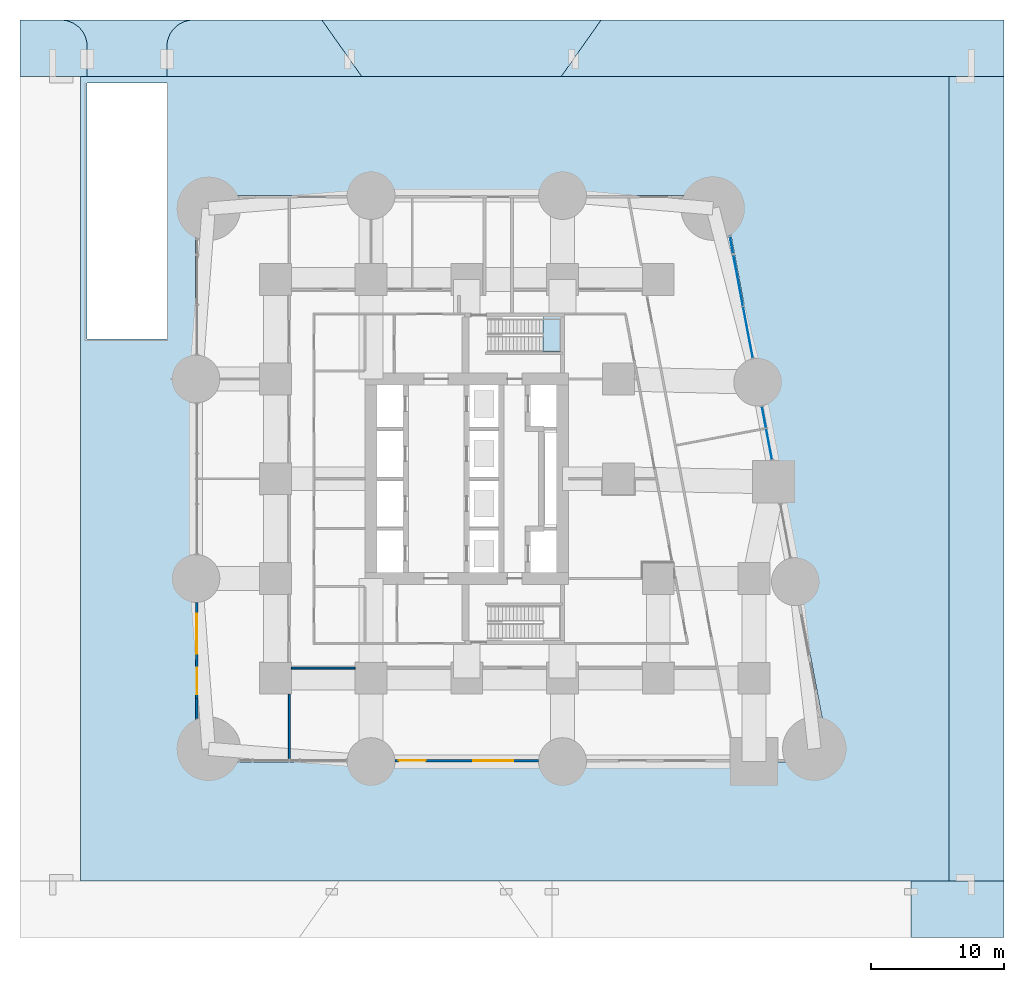
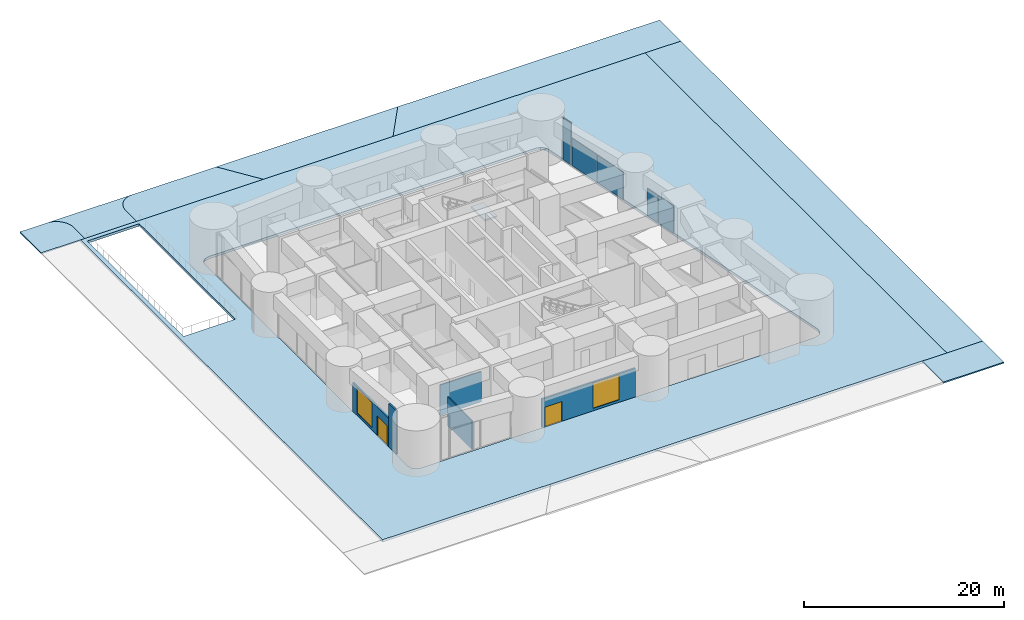
# One storey, part 8 of 16: 9 slabs, 5 plates, 5 walls, 2 doors, 2 windows, 4 openings, 4 elements without a shape of their own.
"""IFC4 building model written with IfcOpenShell, lengths in metres."""

from ifc_helpers import new_model, si_unit, direction, frame, frame_2d, origin, origin_2d, place, context, subcontext, project, spatial, polyline, rectangle, outline, extrude, material, layer, layer_set, type_object, element, fill, aggregate, save


model = new_model("IFC4")

# Units and contexts
model_context = context("Model", 3, precision=1e-05, world=origin(), true_north=direction((0.0, 1.0)))
body_context = subcontext(model_context, "Body", "Model", "MODEL_VIEW")
ifc_project = project(units=[si_unit("LENGTHUNIT", "METRE"), si_unit("AREAUNIT", "SQUARE_METRE"), si_unit("VOLUMEUNIT", "CUBIC_METRE"), si_unit("PLANEANGLEUNIT", "RADIAN"), si_unit("MASSUNIT", "GRAM", prefix="KILO")], contexts=[model_context])

# Site, building, storey
site_placement = place(None, origin())
site = spatial("IfcSite", under=ifc_project, at=site_placement, CompositionType="ELEMENT")
building_placement = place(site_placement, origin())
building = spatial("IfcBuilding", under=site, at=building_placement, Name="Sheger Commons Tower", CompositionType="ELEMENT")
storey_placement = place(building_placement, origin())
storey = spatial("IfcBuildingStorey", under=building, at=storey_placement, Name="L00", CompositionType="ELEMENT", Elevation=0.0)

# Curtain wall, plates
ifc_material_1 = material(Name="Black aluminium curtain wall, dark tinted glazing", Category="aluminium")
curtain_wall_type = type_object("IfcCurtainWallType", Name="CURTAIN WALL CW1 SHOPFRONT", PredefinedType="USERDEFINED", material=ifc_material_1)
curtain_wall_1_placement = place(storey_placement, origin())
curtain_wall_1 = element("IfcCurtainWall", 1, at=curtain_wall_1_placement, inside=storey, type_object=curtain_wall_type, Name="Curtain Wall Cw1 Shopfront E1 L00", ObjectType="STICK CURTAIN WALL", PredefinedType="USERDEFINED")
ifc_material_2 = material(Name="Dark tinted double glazing, laminated safety glass", Category="glass")
ifc_layer_1 = layer(ifc_material_2, 0.0380859375)
ifc_layer_set_1 = layer_set([ifc_layer_1], Name="GLAZED PANEL 38")
plate_type = type_object("IfcPlateType", Name="GLAZED PANEL 38", PredefinedType="CURTAIN_PANEL", material=ifc_layer_set_1)
plate_1_placement = place(storey_placement, frame((44.3349609375, 25.104248046875, 0.06494140625), z_axis=(0.0, 0.0, 1.0), x_axis=(-0.185647893416, 0.982616333912, 0.0)))
plate_1 = element("IfcPlate", 2, at=plate_1_placement, type_object=plate_type, Name="CW1 panel 1.1", PredefinedType="CURTAIN_PANEL", context=body_context, shape_type="SweptSolid", body=[
    extrude(rectangle(XDim=2.347412109375, YDim=0.0380859375, at=origin_2d()), origin(), (0.0, 0.0, 1.0), 3.3701171875),
])
plate_2_placement = place(storey_placement, frame((43.95361328125, 27.123291015625, 0.06494140625), z_axis=(0.0, 0.0, 1.0), x_axis=(-0.185647893416, 0.982616333912, 0.0)))
plate_2 = element("IfcPlate", 3, at=plate_2_placement, type_object=plate_type, Name="CW1 panel 2.1", PredefinedType="CURTAIN_PANEL", context=body_context, shape_type="SweptSolid", body=[
    extrude(rectangle(XDim=1.632080078125, YDim=0.0380859375, at=origin_2d()), origin(), (0.0, 0.0, 1.0), 3.3701171875),
])
aggregate(curtain_wall_1, [plate_1, plate_2])

curtain_wall_2_placement = place(storey_placement, origin())
curtain_wall_2 = element("IfcCurtainWall", 4, at=curtain_wall_2_placement, inside=storey, type_object=curtain_wall_type, Name="Curtain Wall Cw1 Shopfront E1 L00", ObjectType="STICK CURTAIN WALL", PredefinedType="USERDEFINED")
plate_3_placement = place(storey_placement, frame((42.747802734375, 33.5087890625, 0.06494140625), z_axis=(0.0, 0.0, 1.0), x_axis=(-0.185669818561, 0.982612191292, 0.0)))
plate_3 = element("IfcPlate", 5, at=plate_3_placement, type_object=plate_type, Name="CW1 panel 1.1", PredefinedType="CURTAIN_PANEL", context=body_context, shape_type="SweptSolid", body=[
    extrude(rectangle(XDim=3.901611328125, YDim=0.0380859375, at=origin_2d()), origin(), (0.0, 0.0, 1.0), 3.3701171875),
])
plate_4_placement = place(storey_placement, frame((42.01123046875, 37.40625, 0.06494140625), z_axis=(0.0, 0.0, 1.0), x_axis=(-0.185669818561, 0.982612191292, 0.0)))
plate_4 = element("IfcPlate", 6, at=plate_4_placement, type_object=plate_type, Name="CW1 panel 2.1", PredefinedType="CURTAIN_PANEL", context=body_context, shape_type="SweptSolid", body=[
    extrude(rectangle(XDim=3.901611328125, YDim=0.0380859375, at=origin_2d()), origin(), (0.0, 0.0, 1.0), 3.3701171875),
])
aggregate(curtain_wall_2, [plate_3, plate_4])

# Curtain wall, plate
curtain_wall_3_placement = place(storey_placement, origin())
curtain_wall_3 = element("IfcCurtainWall", 7, at=curtain_wall_3_placement, inside=storey, type_object=curtain_wall_type, Name="Curtain Wall Cw1 Shopfront E1 L00", ObjectType="STICK CURTAIN WALL", PredefinedType="USERDEFINED")
plate_5_placement = place(storey_placement, frame((41.508544921875, 40.068115234375, 0.06494140625), z_axis=(0.0, 0.0, 1.0), x_axis=(-0.185421004098, 0.982659173488, 0.0)))
plate_5 = element("IfcPlate", 8, at=plate_5_placement, type_object=plate_type, Name="CW1 panel 1.1", PredefinedType="CURTAIN_PANEL", context=body_context, shape_type="SweptSolid", body=[
    extrude(rectangle(XDim=1.256103515625, YDim=0.0380859375, at=origin_2d()), origin(), (0.0, 0.0, 1.0), 5.169921875),
])
aggregate(curtain_wall_3, [plate_5])

# Slabs
ifc_material_3 = material(Name="Reinforced concrete C32/40, brushed finish", Category="concrete")
ifc_layer_2 = layer(ifc_material_3, 0.22509765625)
ifc_layer_set_2 = layer_set([ifc_layer_2], Name="HARDSTANDING 225")
slab_type_1 = type_object("IfcSlabType", Name="HARDSTANDING 225", PredefinedType="USERDEFINED", material=ifc_layer_set_2)
slab_1_placement = place(storey_placement, frame((0.0, 0.0, -0.22509765625)))
element("IfcSlab", 9, at=slab_1_placement, inside=storey, type_object=slab_type_1, Name="Refuse and service bay", ObjectType="PAVING", PredefinedType="USERDEFINED", context=body_context, shape_type="SweptSolid", body=[
    extrude(outline(polyline([(13.699951171875, 52.75), (28.699951171875, 52.75), (31.699951171875, 57.0), (10.699951171875, 57.0), (13.699951171875, 52.75)])), origin(), (0.0, 0.0, 1.0), 0.22509765625),
])
slab_2_placement = place(storey_placement, frame((0.0, 0.0, -0.22509765625)))
element("IfcSlab", 10, at=slab_2_placement, inside=storey, type_object=slab_type_1, Name="Car park ramp crossover", ObjectType="PAVING", PredefinedType="USERDEFINED", context=body_context, shape_type="SweptSolid", body=[
    extrude(outline(polyline([(-6.949951171875, 52.75), (-0.949951171875, 52.75), (-0.949951171875, 55.0), (-0.947998046875, 55.097900390625), (-0.93994140625, 55.196044921875), (-0.927978515625, 55.29296875), (-0.912109375, 55.389892578125), (-0.889892578125, 55.486083984375), (-0.864013671875, 55.5810546875), (-0.8330078125, 55.674072265625), (-0.798095703125, 55.764892578125), (-0.758056640625, 55.85498046875), (-0.714111328125, 55.943115234375), (-0.6650390625, 56.028076171875), (-0.613037109375, 56.111083984375), (-0.555908203125, 56.19091796875), (-0.49609375, 56.26904296875), (-0.431884765625, 56.343017578125), (-0.364013671875, 56.4140625), (-0.29296875, 56.48193359375), (-0.218994140625, 56.5458984375), (-0.199951171875, 56.56005859375), (-0.14111328125, 56.60595703125), (-0.09912109375, 56.635986328125), (-0.06103515625, 56.6630859375), (-0.01708984375, 56.69091796875), (0.02197265625, 56.715087890625), (0.10009765625, 56.760009765625), (0.10693359375, 56.763916015625), (0.195068359375, 56.80810546875), (0.284912109375, 56.847900390625), (0.3759765625, 56.883056640625), (0.468994140625, 56.9140625), (0.56396484375, 56.93994140625), (0.659912109375, 56.9619140625), (0.757080078125, 56.97802734375), (0.85400390625, 56.989990234375), (0.93994140625, 56.9970703125), (0.93994140625, 57.0), (-0.949951171875, 57.0), (-6.949951171875, 57.0), (-8.840087890625, 57.0), (-8.840087890625, 56.9970703125), (-8.75390625, 56.989990234375), (-8.656982421875, 56.97802734375), (-8.56005859375, 56.9619140625), (-8.464111328125, 56.93994140625), (-8.368896484375, 56.9140625), (-8.27587890625, 56.883056640625), (-8.18505859375, 56.847900390625), (-8.094970703125, 56.80810546875), (-8.010986328125, 56.76611328125), (-8.007080078125, 56.763916015625), (-7.922119140625, 56.715087890625), (-7.839111328125, 56.6630859375), (-7.759033203125, 56.60595703125), (-7.680908203125, 56.5458984375), (-7.60693359375, 56.48193359375), (-7.535888671875, 56.4140625), (-7.468017578125, 56.343017578125), (-7.404052734375, 56.26904296875), (-7.343994140625, 56.19091796875), (-7.287109375, 56.111083984375), (-7.235107421875, 56.028076171875), (-7.18603515625, 55.943115234375), (-7.14208984375, 55.85498046875), (-7.10205078125, 55.764892578125), (-7.06689453125, 55.674072265625), (-7.035888671875, 55.5810546875), (-7.010009765625, 55.486083984375), (-6.988037109375, 55.389892578125), (-6.971923828125, 55.29296875), (-6.9599609375, 55.196044921875), (-6.951904296875, 55.097900390625), (-6.949951171875, 55.0), (-6.949951171875, 52.75)])), origin(), (0.0, 0.0, 1.0), 0.22509765625),
])
ifc_material_4 = material(Name="Granite setts on a mortar bed", Category="masonry")
ifc_layer_3 = layer(ifc_material_4, 0.14990234375)
ifc_layer_set_3 = layer_set([ifc_layer_3], Name="PAVING 150")
slab_type_2 = type_object("IfcSlabType", Name="PAVING 150", PredefinedType="USERDEFINED", material=ifc_layer_set_3)
slab_3_placement = place(storey_placement, frame((0.0, 0.0, -0.14990234375)))
element("IfcSlab", 11, at=slab_3_placement, inside=storey, type_object=slab_type_2, Name="South footway 3", ObjectType="PAVING", PredefinedType="USERDEFINED", context=body_context, shape_type="SweptSolid", body=[
    extrude(outline(polyline([(55.0, -12.0), (62.0, -12.0), (62.0, -7.75), (57.85009765625, -7.75), (55.0, -7.75), (55.0, -12.0)])), origin(), (0.0, 0.0, 1.0), 0.14990234375),
])
slab_4_placement = place(storey_placement, frame((0.0, 0.0, -0.14990234375)))
element("IfcSlab", 12, at=slab_4_placement, inside=storey, type_object=slab_type_2, Name="North footway 1", ObjectType="PAVING", PredefinedType="USERDEFINED", context=body_context, shape_type="SweptSolid", body=[
    extrude(outline(polyline([(-12.0, 52.75), (-7.449951171875, 52.75), (-6.949951171875, 52.75), (-6.949951171875, 55.0), (-6.951904296875, 55.097900390625), (-6.9599609375, 55.196044921875), (-6.971923828125, 55.29296875), (-6.988037109375, 55.389892578125), (-7.010009765625, 55.486083984375), (-7.035888671875, 55.5810546875), (-7.06689453125, 55.674072265625), (-7.10205078125, 55.764892578125), (-7.14208984375, 55.85498046875), (-7.18603515625, 55.943115234375), (-7.235107421875, 56.028076171875), (-7.287109375, 56.111083984375), (-7.343994140625, 56.19091796875), (-7.404052734375, 56.26904296875), (-7.468017578125, 56.343017578125), (-7.535888671875, 56.4140625), (-7.60693359375, 56.48193359375), (-7.680908203125, 56.5458984375), (-7.759033203125, 56.60595703125), (-7.839111328125, 56.6630859375), (-7.922119140625, 56.715087890625), (-8.007080078125, 56.763916015625), (-8.010986328125, 56.76611328125), (-8.051025390625, 56.785888671875), (-8.094970703125, 56.80810546875), (-8.18505859375, 56.847900390625), (-8.27587890625, 56.883056640625), (-8.368896484375, 56.9140625), (-8.464111328125, 56.93994140625), (-8.56005859375, 56.9619140625), (-8.656982421875, 56.97802734375), (-8.75390625, 56.989990234375), (-8.85205078125, 56.998046875), (-8.949951171875, 57.0), (-12.0, 57.0), (-12.0, 52.75)])), origin(), (0.0, 0.0, 1.0), 0.14990234375),
])
slab_5_placement = place(storey_placement, frame((0.0, 0.0, -0.14990234375)))
element("IfcSlab", 13, at=slab_5_placement, inside=storey, type_object=slab_type_2, Name="North footway 2", ObjectType="PAVING", PredefinedType="USERDEFINED", context=body_context, shape_type="SweptSolid", body=[
    extrude(outline(polyline([(-0.949951171875, 52.75), (13.699951171875, 52.75), (10.699951171875, 57.0), (1.050048828125, 57.0), (0.951904296875, 56.998046875), (0.85400390625, 56.989990234375), (0.757080078125, 56.97802734375), (0.739990234375, 56.97607421875), (0.659912109375, 56.9619140625), (0.60693359375, 56.949951171875), (0.56396484375, 56.93994140625), (0.468994140625, 56.9140625), (0.3759765625, 56.883056640625), (0.340087890625, 56.868896484375), (0.284912109375, 56.847900390625), (0.217041015625, 56.818115234375), (0.195068359375, 56.80810546875), (0.14892578125, 56.784912109375), (0.10693359375, 56.763916015625), (0.10009765625, 56.760009765625), (0.0390625, 56.72509765625), (0.0380859375, 56.72509765625), (0.02197265625, 56.715087890625), (0.012939453125, 56.7099609375), (0.007080078125, 56.7060546875), (-0.01708984375, 56.69091796875), (-0.01806640625, 56.68994140625), (-0.06103515625, 56.6630859375), (-0.0830078125, 56.64697265625), (-0.14111328125, 56.60595703125), (-0.16796875, 56.5849609375), (-0.199951171875, 56.56005859375), (-0.201904296875, 56.55908203125), (-0.218994140625, 56.5458984375), (-0.29296875, 56.48193359375), (-0.33203125, 56.445068359375), (-0.364013671875, 56.4140625), (-0.431884765625, 56.343017578125), (-0.49609375, 56.26904296875), (-0.555908203125, 56.19091796875), (-0.613037109375, 56.111083984375), (-0.6650390625, 56.028076171875), (-0.714111328125, 55.943115234375), (-0.758056640625, 55.85498046875), (-0.781005859375, 55.803955078125), (-0.798095703125, 55.764892578125), (-0.8330078125, 55.674072265625), (-0.864013671875, 55.5810546875), (-0.889892578125, 55.486083984375), (-0.912109375, 55.389892578125), (-0.927978515625, 55.29296875), (-0.93994140625, 55.196044921875), (-0.947998046875, 55.097900390625), (-0.949951171875, 55.0), (-0.949951171875, 52.75)])), origin(), (0.0, 0.0, 1.0), 0.14990234375),
])
slab_6_placement = place(storey_placement, frame((0.0, 0.0, -0.14990234375)))
element("IfcSlab", 14, at=slab_6_placement, inside=storey, type_object=slab_type_2, Name="North footway 3", ObjectType="PAVING", PredefinedType="USERDEFINED", context=body_context, shape_type="SweptSolid", body=[
    extrude(outline(polyline([(28.699951171875, 52.75), (57.85009765625, 52.75), (62.0, 52.75), (62.0, 57.0), (31.699951171875, 57.0), (28.699951171875, 52.75)])), origin(), (0.0, 0.0, 1.0), 0.14990234375),
])
slab_7_placement = place(storey_placement, frame((0.0, 0.0, -0.14990234375)))
element("IfcSlab", 15, at=slab_7_placement, inside=storey, type_object=slab_type_2, Name="East concourse approach", ObjectType="PAVING", PredefinedType="USERDEFINED", context=body_context, shape_type="SweptSolid", body=[
    extrude(outline(polyline([(57.85009765625, -7.75), (62.0, -7.75), (62.0, 52.75), (57.85009765625, 52.75), (57.85009765625, -7.75)])), origin(), (0.0, 0.0, 1.0), 0.14990234375),
])
ifc_material_5 = material(Name="Concrete C35/45", Category="concrete")
ifc_layer_4 = layer(ifc_material_5, 0.300048828125)
ifc_layer_set_4 = layer_set([ifc_layer_4], Name="SLAB ROOF 300")
slab_type_3 = type_object("IfcSlabType", Name="SLAB ROOF 300", PredefinedType="ROOF", material=ifc_layer_set_4)
slab_8_placement = place(storey_placement, frame((0.0, 0.0, -0.300048828125)))
element("IfcSlab", 16, at=slab_8_placement, inside=storey, type_object=slab_type_3, Name="L00 plaza deck over the car park", PredefinedType="ROOF", context=body_context, shape_type="SweptSolid", body=[
    extrude(outline(polyline([(-7.449951171875, -7.75), (57.85009765625, -7.75), (57.85009765625, 52.75), (-7.449951171875, 52.75), (-7.449951171875, -7.75)]), holes=[polyline([(2.199951171875, 1.198974609375), (47.7451171875, 1.198974609375), (48.298095703125, 1.365966796875), (48.299072265625, 1.365966796875), (48.66796875, 1.81005859375), (48.66796875, 1.81103515625), (48.72900390625, 2.385986328125), (41.06005859375, 42.986083984375), (40.8740234375, 43.404052734375), (40.8740234375, 43.405029296875), (40.52197265625, 43.696044921875), (40.52099609375, 43.696044921875), (40.075927734375, 43.801025390625), (2.199951171875, 43.801025390625), (1.699951171875, 43.6669921875), (1.698974609375, 43.6669921875), (1.3330078125, 43.301025390625), (1.3330078125, 43.300048828125), (1.198974609375, 42.800048828125), (1.198974609375, 2.199951171875), (1.3330078125, 1.699951171875), (1.3330078125, 1.698974609375), (1.698974609375, 1.3330078125), (1.699951171875, 1.3330078125), (2.199951171875, 1.198974609375)]), polyline([(-6.949951171875, 33.0), (-0.949951171875, 33.0), (-0.949951171875, 52.25), (-6.949951171875, 52.25), (-6.949951171875, 33.0)])]), origin(), (0.0, 0.0, 1.0), 0.300048828125),
])

# Stair, slab
ifc_material_6 = material(Name="Concrete C35/45", Category="concrete")
stair_type = type_object("IfcStairType", Name="HALF-TURN STAIR 1200 RISE 5600", PredefinedType="HALF_TURN_STAIR", material=ifc_material_6)
stair_placement = place(storey_placement, origin())
stair = element("IfcStair", 17, at=stair_placement, inside=storey, type_object=stair_type, Name="Stair S2 L00", PredefinedType="HALF_TURN_STAIR")
ifc_material_7 = material(Name="Concrete C35/45", Category="concrete")
ifc_layer_5 = layer(ifc_material_7, 0.199951171875)
ifc_layer_set_5 = layer_set([ifc_layer_5], Name="STAIR LANDING 200")
slab_type_4 = type_object("IfcSlabType", Name="STAIR LANDING 200", PredefinedType="LANDING", material=ifc_layer_set_5)
slab_9_placement = place(storey_placement, frame((0.0, 0.0, 2.60009765625)))
slab_9 = element("IfcSlab", 18, at=slab_9_placement, type_object=slab_type_4, Name="S2 landing 1", PredefinedType="LANDING", context=body_context, shape_type="SweptSolid", body=[
    extrude(outline(polyline([(27.35009765625, 32.050048828125), (28.800048828125, 32.050048828125), (28.800048828125, 34.800048828125), (27.35009765625, 34.800048828125), (27.35009765625, 32.050048828125)])), origin(), (0.0, 0.0, 1.0), 0.199951171875),
])
aggregate(stair, [slab_9])

# Walls
ifc_material_8 = material(Name="Hollow concrete block masonry, skimmed both sides", Category="masonry")
ifc_layer_6 = layer(ifc_material_8, 0.14990234375)
ifc_layer_set_6 = layer_set([ifc_layer_6], Name="CORRIDOR WALL 150")
wall_type_1 = type_object("IfcWallType", Name="CORRIDOR WALL 150", PredefinedType="SOLIDWALL", material=ifc_layer_set_6)
wall_1_placement = place(storey_placement, frame((8.25, 1.425048828125, 0.0), z_axis=(0.0, 0.0, 1.0), x_axis=(0.0, 1.0, 0.0)))
element("IfcWall", 19, at=wall_1_placement, inside=storey, type_object=wall_type_1, Name="Corridor wall L00", PredefinedType="SOLIDWALL", context=body_context, shape_type="SweptSolid", body=[
    extrude(rectangle(XDim=4.8740234375, YDim=0.14990234375, at=frame_2d((2.43701171875, 0.0))), origin(), (0.0, 0.0, 1.0), 3.5),
])
wall_2_placement = place(storey_placement, frame((13.198974609375, 8.25, 0.0), z_axis=(0.0, 0.0, 1.0), x_axis=(-1.0, 0.0, 0.0)))
element("IfcWall", 20, at=wall_2_placement, inside=storey, type_object=wall_type_1, Name="Corridor wall L00", PredefinedType="SOLIDWALL", context=body_context, shape_type="SweptSolid", body=[
    extrude(rectangle(XDim=4.798095703125, YDim=0.14990234375, at=frame_2d((2.39892578125, 0.0))), origin(), (0.0, 0.0, 1.0), 3.699951171875),
])

# Wall, openings, door, window
ifc_material_9 = material(Name="Rendered concrete block masonry, dark grey", Category="masonry")
ifc_layer_7 = layer(ifc_material_9, 0.199951171875)
ifc_layer_set_7 = layer_set([ifc_layer_7], Name="FACADE WALL 200")
wall_type_2 = type_object("IfcWallType", Name="FACADE WALL 200", PredefinedType="SOLIDWALL", material=ifc_layer_set_7)
wall_3_placement = place(storey_placement, frame((16.200927734375, 1.300048828125, 0.0), z_axis=(0.0, 0.0, 1.0), x_axis=(1.0, 0.0, 0.0)))
wall_3 = element("IfcWall", 21, at=wall_3_placement, inside=storey, type_object=wall_type_2, Name="Facade wall L00", PredefinedType="SOLIDWALL", context=body_context, shape_type="SweptSolid", body=[
    extrude(rectangle(XDim=10.798095703125, YDim=0.199951171875, at=frame_2d((5.39892578125, 0.0))), origin(), (0.0, 0.0, 1.0), 3.5),
])
opening_1_placement = place(wall_3_placement, frame((0.300048828125, 0.0, 0.0)))
opening_1 = element("IfcOpeningElement", 22, at=opening_1_placement, cuts=wall_3, Name="Opening DE1", PredefinedType="OPENING", context=body_context, shape_type="SweptSolid", body=[
    extrude(rectangle(XDim=2.0, YDim=2.39990234375, at=frame_2d((1.0, 1.199951171875))), frame((0.0, 0.10986328125, 0.0), z_axis=(0.0, -1.0, 0.0), x_axis=(1.0, 0.0, 0.0)), (0.0, 0.0, 1.0), 0.219970703125),
])
opening_2_placement = place(wall_3_placement, frame((5.89892578125, 0.0, 0.300048828125)))
opening_2 = element("IfcOpeningElement", 23, at=opening_2_placement, cuts=wall_3, Name="Opening W3", PredefinedType="OPENING", context=body_context, shape_type="SweptSolid", body=[
    extrude(rectangle(XDim=3.0, YDim=3.10009765625, at=frame_2d((1.5, 1.550048828125))), frame((0.0, 0.10986328125, 0.0), z_axis=(0.0, -1.0, 0.0), x_axis=(1.0, 0.0, 0.0)), (0.0, 0.0, 1.0), 0.219970703125),
])
ifc_material_10 = material(Name="Black aluminium frame, dark tinted glazing", Category="aluminium")
door_type = type_object("IfcDoorType", Name="ENTRANCE DOUBLE DOOR 2000x2400", OperationType="DOUBLE_DOOR_SINGLE_SWING", PredefinedType="DOOR", material=ifc_material_10)
door_1_placement = place(opening_1_placement, origin())
door_1 = element("IfcDoor", 24, at=door_1_placement, inside=storey, type_object=door_type, Name="Entrance door", OperationType="DOUBLE_DOOR_SINGLE_SWING", OverallHeight=2.39990234375, OverallWidth=2.0, PredefinedType="DOOR", context=body_context, shape_type="SweptSolid", body=[
    extrude(rectangle(XDim=2.0, YDim=2.39990234375, at=frame_2d((1.0, 1.199951171875))), frame((0.0, 0.02490234375, 0.0), z_axis=(0.0, -1.0, 0.0), x_axis=(1.0, 0.0, 0.0)), (0.0, 0.0, 1.0), 0.050048828125),
])
fill(opening_1, door_1)
ifc_material_11 = material(Name="Black aluminium frame, dark tinted double glazing", Category="aluminium")
window_type = type_object("IfcWindowType", Name="SHOPFRONT GLAZING W3 3000x3100", PartitioningType="SINGLE_PANEL", PredefinedType="WINDOW", material=ifc_material_11)
window_1_placement = place(opening_2_placement, origin())
window_1 = element("IfcWindow", 25, at=window_1_placement, inside=storey, type_object=window_type, Name="Shopfront Glazing W3 3000X3100", OverallHeight=3.10009765625, OverallWidth=3.0, PartitioningType="SINGLE_PANEL", PredefinedType="WINDOW", context=body_context, shape_type="SweptSolid", body=[
    extrude(rectangle(XDim=3.0, YDim=3.10009765625, at=frame_2d((1.5, 1.550048828125))), frame((0.0, 0.030029296875, 0.0), z_axis=(0.0, -1.0, 0.0), x_axis=(1.0, 0.0, 0.0)), (0.0, 0.0, 1.0), 0.06005859375),
])
fill(opening_2, window_1)

wall_4_placement = place(storey_placement, frame((1.300048828125, 13.198974609375, 0.0), z_axis=(0.0, 0.0, 1.0), x_axis=(0.0, -1.0, 0.0)))
wall_4 = element("IfcWall", 26, at=wall_4_placement, inside=storey, type_object=wall_type_2, Name="Facade wall L00", PredefinedType="SOLIDWALL", context=body_context, shape_type="SweptSolid", body=[
    extrude(rectangle(XDim=7.218017578125, YDim=0.199951171875, at=frame_2d((3.60888671875, 0.0))), origin(), (0.0, 0.0, 1.0), 3.5),
])
opening_3_placement = place(wall_4_placement, frame((4.91796875, 0.0, 0.0)))
opening_3 = element("IfcOpeningElement", 27, at=opening_3_placement, cuts=wall_4, Name="Opening DE1", PredefinedType="OPENING", context=body_context, shape_type="SweptSolid", body=[
    extrude(rectangle(XDim=2.0, YDim=2.39990234375, at=frame_2d((1.0, 1.199951171875))), frame((0.0, 0.10986328125, 0.0), z_axis=(0.0, -1.0, 0.0), x_axis=(1.0, 0.0, 0.0)), (0.0, 0.0, 1.0), 0.219970703125),
])
opening_4_placement = place(wall_4_placement, frame((0.868896484375, 0.0, 0.300048828125)))
opening_4 = element("IfcOpeningElement", 28, at=opening_4_placement, cuts=wall_4, Name="Opening W3", PredefinedType="OPENING", context=body_context, shape_type="SweptSolid", body=[
    extrude(rectangle(XDim=3.0, YDim=3.10009765625, at=frame_2d((1.5, 1.550048828125))), frame((0.0, 0.10986328125, 0.0), z_axis=(0.0, -1.0, 0.0), x_axis=(1.0, 0.0, 0.0)), (0.0, 0.0, 1.0), 0.219970703125),
])
door_2_placement = place(opening_3_placement, origin())
door_2 = element("IfcDoor", 29, at=door_2_placement, inside=storey, type_object=door_type, Name="Entrance door", OperationType="DOUBLE_DOOR_SINGLE_SWING", OverallHeight=2.39990234375, OverallWidth=2.0, PredefinedType="DOOR", context=body_context, shape_type="SweptSolid", body=[
    extrude(rectangle(XDim=2.0, YDim=2.39990234375, at=frame_2d((1.0, 1.199951171875))), frame((0.0, 0.02490234375, 0.0), z_axis=(0.0, -1.0, 0.0), x_axis=(1.0, 0.0, 0.0)), (0.0, 0.0, 1.0), 0.050048828125),
])
fill(opening_3, door_2)
window_2_placement = place(opening_4_placement, origin())
window_2 = element("IfcWindow", 30, at=window_2_placement, inside=storey, type_object=window_type, Name="Shopfront Glazing W3 3000X3100", OverallHeight=3.10009765625, OverallWidth=3.0, PartitioningType="SINGLE_PANEL", PredefinedType="WINDOW", context=body_context, shape_type="SweptSolid", body=[
    extrude(rectangle(XDim=3.0, YDim=3.10009765625, at=frame_2d((1.5, 1.550048828125))), frame((0.0, 0.030029296875, 0.0), z_axis=(0.0, -1.0, 0.0), x_axis=(1.0, 0.0, 0.0)), (0.0, 0.0, 1.0), 0.06005859375),
])
fill(opening_4, window_2)

# Wall
wall_5_placement = place(storey_placement, frame((1.300048828125, 5.98095703125, 0.0), z_axis=(0.0, 0.0, 1.0), x_axis=(0.0, -1.0, 0.0)))
element("IfcWall", 31, at=wall_5_placement, inside=storey, type_object=wall_type_2, Name="Facade wall L00", PredefinedType="SOLIDWALL", context=body_context, shape_type="SweptSolid", body=[
    extrude(rectangle(XDim=1.51904296875, YDim=0.199951171875, at=frame_2d((0.759521484375, 0.0))), origin(), (0.0, 0.0, 1.0), 5.300048828125),
])

save(model, "model.ifc")
